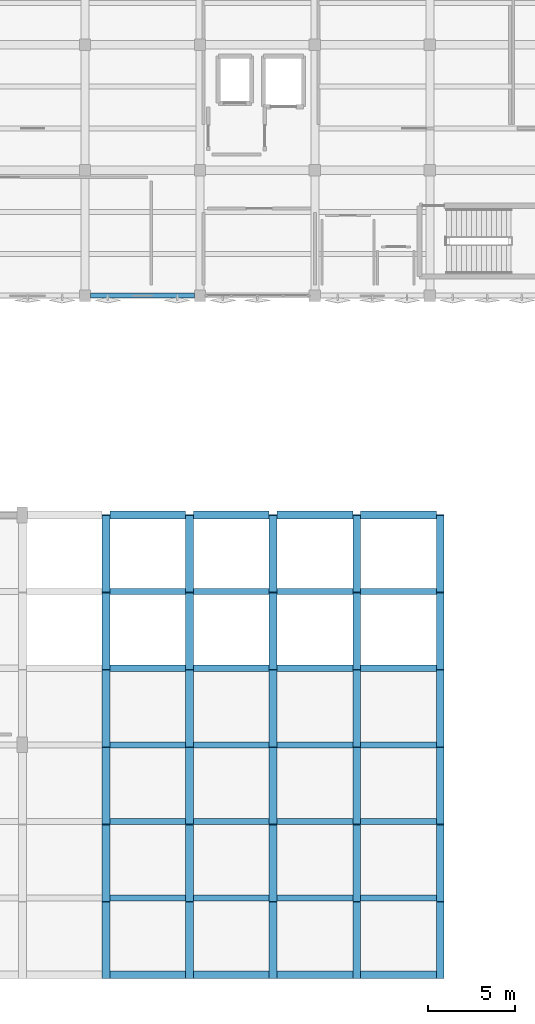
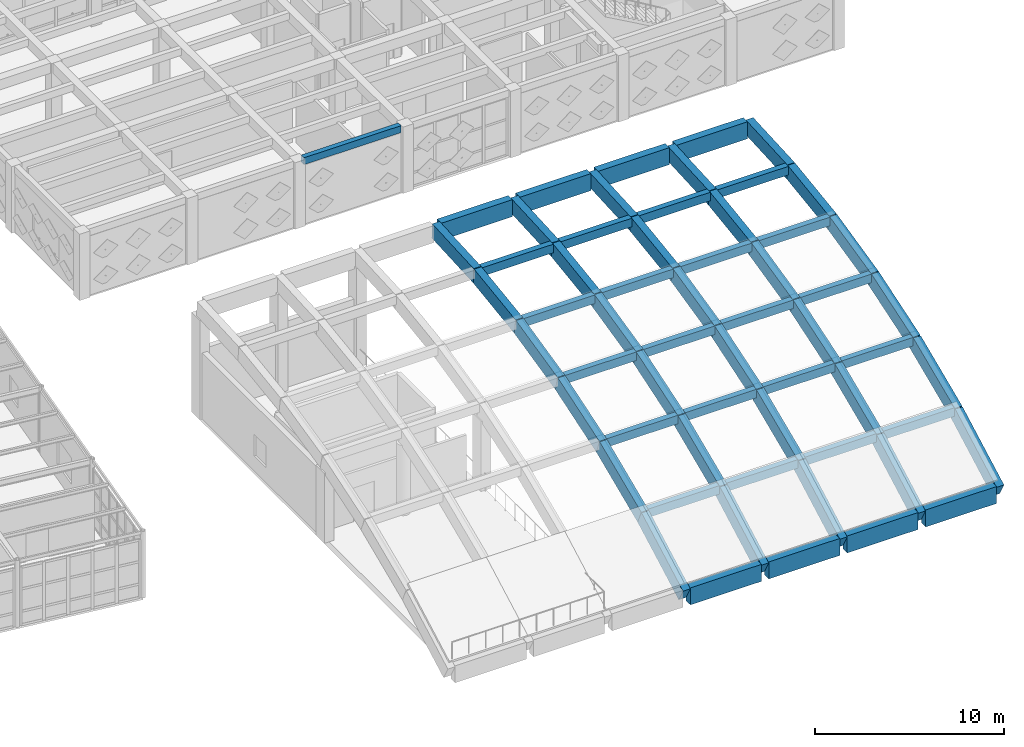
# One storey, part 34 of 67: 59 beams.
"""IFC4 building model written with IfcOpenShell, lengths in metres."""

from ifc_helpers import new_model, si_unit, direction, frame, origin, origin_2d, place, context, subcontext, project, spatial, rectangle, extrude, material, material_profile, profile_set, type_object, element, save


model = new_model("IFC4")

# Units and contexts
model_context = context("Model", 3, precision=1e-05, world=origin(), true_north=direction((0.0, 1.0)))
body_context = subcontext(model_context, "Body", "Model", "MODEL_VIEW")
ifc_project = project(units=[si_unit("LENGTHUNIT", "METRE"), si_unit("AREAUNIT", "SQUARE_METRE"), si_unit("VOLUMEUNIT", "CUBIC_METRE"), si_unit("PLANEANGLEUNIT", "RADIAN"), si_unit("MASSUNIT", "GRAM", prefix="KILO")], contexts=[model_context])

# Site, building, storey
site_placement = place(None, origin())
site = spatial("IfcSite", under=ifc_project, at=site_placement, CompositionType="ELEMENT")
building_placement = place(site_placement, origin())
building = spatial("IfcBuilding", under=site, at=building_placement, Name="Kharisveld Research Institute", CompositionType="ELEMENT")
storey_placement = place(building_placement, frame((0.0, 0.0, 9.60009765625)))
storey = spatial("IfcBuildingStorey", under=building, at=storey_placement, Name="L02", CompositionType="ELEMENT", Elevation=9.60009765625)

# Beams
ifc_material_1 = material(Name="Concrete C40/50", Category="concrete")
ifc_material_profile_1 = material_profile(ifc_material_1, rectangle(XDim=0.35009765625, YDim=0.550048828125, at=origin_2d()))
ifc_profile_set_1 = profile_set([ifc_material_profile_1], Name="Concrete C40/50")
beam_type_1 = type_object("IfcBeamType", Name="BM_RC_350x550", PredefinedType="BEAM", material=ifc_profile_set_1)
beam_1_placement = place(storey_placement, frame((129.22509765625, 4.60009765625, 1.895263671875), z_axis=(1.0, 0.0, 0.0), x_axis=(0.0, 1.0, 0.0)))
element("IfcBeam", 1, at=beam_1_placement, inside=storey, type_object=beam_type_1, Name="BM:V5:L02:SHELLLON_S1_4", PredefinedType="BEAM", context=body_context, shape_type="SweptSolid", body=[
    extrude(rectangle(XDim=0.35009765625, YDim=0.550048828125, at=origin_2d()), origin(), (0.0, 0.0, 1.0), 4.349853515625),
])
for number, where, z_axis, x_axis, name in (
    (2, (134.02490234375, 4.60009765625, 1.895263671875), (1.0, 0.0, 0.0), (0.0, 1.0, 0.0), "BM:V5:L02:SHELLLON_S1_5"),
    (3, (138.824951171875, 4.60009765625, 1.895263671875), (1.0, 0.0, 0.0), (0.0, 1.0, 0.0), "BM:V5:L02:SHELLLON_S1_6"),
    (4, (143.625, 4.60009765625, 1.895263671875), (1.0, 0.0, 0.0), (0.0, 1.0, 0.0), "BM:V5:L02:SHELLLON_S1_7"),
):
    element("IfcBeam", number, at=place(storey_placement, frame(where, z_axis=z_axis, x_axis=x_axis)), inside=storey, type_object=beam_type_1, Name=name, PredefinedType="BEAM", context=body_context, shape_type="SweptSolid", body=[
        extrude(rectangle(XDim=0.35009765625, YDim=0.550048828125, at=origin_2d()), origin(), (0.0, 0.0, 1.0), 4.35009765625),
    ])
beam_2_placement = place(storey_placement, frame((129.22509765625, 9.0, 3.782470703125), z_axis=(1.0, 0.0, 0.0), x_axis=(0.0, 1.0, 0.0)))
element("IfcBeam", 5, at=beam_2_placement, inside=storey, type_object=beam_type_1, Name="BM:V5:L02:SHELLLON_S2_4", PredefinedType="BEAM", context=body_context, shape_type="SweptSolid", body=[
    extrude(rectangle(XDim=0.35009765625, YDim=0.550048828125, at=origin_2d()), origin(), (0.0, 0.0, 1.0), 4.349853515625),
])
for number, where, z_axis, x_axis, name in (
    (6, (134.02490234375, 9.0, 3.782470703125), (1.0, 0.0, 0.0), (0.0, 1.0, 0.0), "BM:V5:L02:SHELLLON_S2_5"),
    (7, (138.824951171875, 9.0, 3.782470703125), (1.0, 0.0, 0.0), (0.0, 1.0, 0.0), "BM:V5:L02:SHELLLON_S2_6"),
    (8, (143.625, 9.0, 3.782470703125), (1.0, 0.0, 0.0), (0.0, 1.0, 0.0), "BM:V5:L02:SHELLLON_S2_7"),
):
    element("IfcBeam", number, at=place(storey_placement, frame(where, z_axis=z_axis, x_axis=x_axis)), inside=storey, type_object=beam_type_1, Name=name, PredefinedType="BEAM", context=body_context, shape_type="SweptSolid", body=[
        extrude(rectangle(XDim=0.35009765625, YDim=0.550048828125, at=origin_2d()), origin(), (0.0, 0.0, 1.0), 4.35009765625),
    ])
beam_3_placement = place(storey_placement, frame((129.22509765625, 13.39990234375, 5.214111328125), z_axis=(1.0, 0.0, 0.0), x_axis=(0.0, 1.0, 0.0)))
element("IfcBeam", 9, at=beam_3_placement, inside=storey, type_object=beam_type_1, Name="BM:V5:L02:SHELLLON_S3_4", PredefinedType="BEAM", context=body_context, shape_type="SweptSolid", body=[
    extrude(rectangle(XDim=0.35009765625, YDim=0.550048828125, at=origin_2d()), origin(), (0.0, 0.0, 1.0), 4.349853515625),
])
for number, where, z_axis, x_axis, name in (
    (10, (134.02490234375, 13.39990234375, 5.214111328125), (1.0, 0.0, 0.0), (0.0, 1.0, 0.0), "BM:V5:L02:SHELLLON_S3_5"),
    (11, (138.824951171875, 13.39990234375, 5.214111328125), (1.0, 0.0, 0.0), (0.0, 1.0, 0.0), "BM:V5:L02:SHELLLON_S3_6"),
    (12, (143.625, 13.39990234375, 5.214111328125), (1.0, 0.0, 0.0), (0.0, 1.0, 0.0), "BM:V5:L02:SHELLLON_S3_7"),
):
    element("IfcBeam", number, at=place(storey_placement, frame(where, z_axis=z_axis, x_axis=x_axis)), inside=storey, type_object=beam_type_1, Name=name, PredefinedType="BEAM", context=body_context, shape_type="SweptSolid", body=[
        extrude(rectangle(XDim=0.35009765625, YDim=0.550048828125, at=origin_2d()), origin(), (0.0, 0.0, 1.0), 4.35009765625),
    ])
beam_4_placement = place(storey_placement, frame((129.22509765625, 17.800048828125, 6.228759765625), z_axis=(1.0, 0.0, 0.0), x_axis=(0.0, 1.0, 0.0)))
element("IfcBeam", 13, at=beam_4_placement, inside=storey, type_object=beam_type_1, Name="BM:V5:L02:SHELLLON_S4_4", PredefinedType="BEAM", context=body_context, shape_type="SweptSolid", body=[
    extrude(rectangle(XDim=0.35009765625, YDim=0.550048828125, at=origin_2d()), origin(), (0.0, 0.0, 1.0), 4.349853515625),
])
for number, where, z_axis, x_axis, name in (
    (14, (134.02490234375, 17.800048828125, 6.228759765625), (1.0, 0.0, 0.0), (0.0, 1.0, 0.0), "BM:V5:L02:SHELLLON_S4_5"),
    (15, (138.824951171875, 17.800048828125, 6.228759765625), (1.0, 0.0, 0.0), (0.0, 1.0, 0.0), "BM:V5:L02:SHELLLON_S4_6"),
    (16, (143.625, 17.800048828125, 6.228759765625), (1.0, 0.0, 0.0), (0.0, 1.0, 0.0), "BM:V5:L02:SHELLLON_S4_7"),
):
    element("IfcBeam", number, at=place(storey_placement, frame(where, z_axis=z_axis, x_axis=x_axis)), inside=storey, type_object=beam_type_1, Name=name, PredefinedType="BEAM", context=body_context, shape_type="SweptSolid", body=[
        extrude(rectangle(XDim=0.35009765625, YDim=0.550048828125, at=origin_2d()), origin(), (0.0, 0.0, 1.0), 4.35009765625),
    ])
beam_5_placement = place(storey_placement, frame((129.22509765625, 22.199951171875, 6.85107421875), z_axis=(1.0, 0.0, 0.0), x_axis=(0.0, 1.0, 0.0)))
element("IfcBeam", 17, at=beam_5_placement, inside=storey, type_object=beam_type_1, Name="BM:V5:L02:SHELLLON_S5_4", PredefinedType="BEAM", context=body_context, shape_type="SweptSolid", body=[
    extrude(rectangle(XDim=0.35009765625, YDim=0.550048828125, at=origin_2d()), origin(), (0.0, 0.0, 1.0), 4.349853515625),
])
for number, where, z_axis, x_axis, name in (
    (18, (134.02490234375, 22.199951171875, 6.85107421875), (1.0, 0.0, 0.0), (0.0, 1.0, 0.0), "BM:V5:L02:SHELLLON_S5_5"),
    (19, (138.824951171875, 22.199951171875, 6.85107421875), (1.0, 0.0, 0.0), (0.0, 1.0, 0.0), "BM:V5:L02:SHELLLON_S5_6"),
    (20, (143.625, 22.199951171875, 6.85107421875), (1.0, 0.0, 0.0), (0.0, 1.0, 0.0), "BM:V5:L02:SHELLLON_S5_7"),
):
    element("IfcBeam", number, at=place(storey_placement, frame(where, z_axis=z_axis, x_axis=x_axis)), inside=storey, type_object=beam_type_1, Name=name, PredefinedType="BEAM", context=body_context, shape_type="SweptSolid", body=[
        extrude(rectangle(XDim=0.35009765625, YDim=0.550048828125, at=origin_2d()), origin(), (0.0, 0.0, 1.0), 4.35009765625),
    ])
ifc_material_2 = material(Name="Concrete C40/50", Category="concrete")
ifc_material_profile_2 = material_profile(ifc_material_2, rectangle(XDim=0.449951171875, YDim=1.10009765625, at=origin_2d()))
ifc_profile_set_2 = profile_set([ifc_material_profile_2], Name="Concrete C40/50")
beam_type_2 = type_object("IfcBeamType", Name="EB_RC_450x1100", PredefinedType="BEAM", material=ifc_profile_set_2)
beam_6_placement = place(storey_placement, frame((129.22509765625, 0.199951171875, -0.780029296875), z_axis=(1.0, 0.0, 0.0), x_axis=(0.0, 1.0, 0.0)))
element("IfcBeam", 21, at=beam_6_placement, inside=storey, type_object=beam_type_2, Name="BM:V5:L02:SHELLLON_S0_4", PredefinedType="BEAM", context=body_context, shape_type="SweptSolid", body=[
    extrude(rectangle(XDim=0.449951171875, YDim=1.10009765625, at=origin_2d()), origin(), (0.0, 0.0, 1.0), 4.349853515625),
])
for number, where, z_axis, x_axis, name in (
    (22, (134.02490234375, 0.199951171875, -0.780029296875), (1.0, 0.0, 0.0), (0.0, 1.0, 0.0), "BM:V5:L02:SHELLLON_S0_5"),
    (23, (138.824951171875, 0.199951171875, -0.780029296875), (1.0, 0.0, 0.0), (0.0, 1.0, 0.0), "BM:V5:L02:SHELLLON_S0_6"),
    (24, (143.625, 0.199951171875, -0.780029296875), (1.0, 0.0, 0.0), (0.0, 1.0, 0.0), "BM:V5:L02:SHELLLON_S0_7"),
):
    element("IfcBeam", number, at=place(storey_placement, frame(where, z_axis=z_axis, x_axis=x_axis)), inside=storey, type_object=beam_type_2, Name=name, PredefinedType="BEAM", context=body_context, shape_type="SweptSolid", body=[
        extrude(rectangle(XDim=0.449951171875, YDim=1.10009765625, at=origin_2d()), origin(), (0.0, 0.0, 1.0), 4.35009765625),
    ])
beam_7_placement = place(storey_placement, frame((129.22509765625, 26.60009765625, 6.81982421875), z_axis=(1.0, 0.0, 0.0), x_axis=(0.0, 1.0, 0.0)))
element("IfcBeam", 25, at=beam_7_placement, inside=storey, type_object=beam_type_2, Name="BM:V5:L02:SHELLLON_S6_4", PredefinedType="BEAM", context=body_context, shape_type="SweptSolid", body=[
    extrude(rectangle(XDim=0.449951171875, YDim=1.10009765625, at=origin_2d()), origin(), (0.0, 0.0, 1.0), 4.349853515625),
])
for number, where, z_axis, x_axis, name in (
    (26, (134.02490234375, 26.60009765625, 6.81982421875), (1.0, 0.0, 0.0), (0.0, 1.0, 0.0), "BM:V5:L02:SHELLLON_S6_5"),
    (27, (138.824951171875, 26.60009765625, 6.81982421875), (1.0, 0.0, 0.0), (0.0, 1.0, 0.0), "BM:V5:L02:SHELLLON_S6_6"),
    (28, (143.625, 26.60009765625, 6.81982421875), (1.0, 0.0, 0.0), (0.0, 1.0, 0.0), "BM:V5:L02:SHELLLON_S6_7"),
):
    element("IfcBeam", number, at=place(storey_placement, frame(where, z_axis=z_axis, x_axis=x_axis)), inside=storey, type_object=beam_type_2, Name=name, PredefinedType="BEAM", context=body_context, shape_type="SweptSolid", body=[
        extrude(rectangle(XDim=0.449951171875, YDim=1.10009765625, at=origin_2d()), origin(), (0.0, 0.0, 1.0), 4.35009765625),
    ])
ifc_material_3 = material(Name="Concrete C40/50", Category="concrete")
ifc_material_profile_3 = material_profile(ifc_material_3, rectangle(XDim=0.300048828125, YDim=0.449951171875, at=origin_2d()))
ifc_profile_set_3 = profile_set([ifc_material_profile_3], Name="Concrete C40/50")
beam_type_3 = type_object("IfcBeamType", Name="SP_RC_300x450", PredefinedType="SPANDREL", material=ifc_profile_set_3)
beam_8_placement = place(storey_placement, frame((128.125, 39.199951171875, 4.074951171875), z_axis=(1.0, 0.0, 0.0), x_axis=(0.0, 1.0, 0.0)))
element("IfcBeam", 29, at=beam_8_placement, inside=storey, type_object=beam_type_3, Name="BM:V2:L02:U2_0", PredefinedType="SPANDREL", context=body_context, shape_type="SweptSolid", body=[
    extrude(rectangle(XDim=0.300048828125, YDim=0.449951171875, at=origin_2d()), origin(), (0.0, 0.0, 1.0), 5.949951171875),
])
ifc_material_4 = material(Name="Concrete C40/50", Category="concrete")
ifc_material_profile_4 = material_profile(ifc_material_4, rectangle(XDim=0.449951171875, YDim=0.949951171875, at=origin_2d()))
ifc_profile_set_4 = profile_set([ifc_material_profile_4], Name="Concrete C40/50")
beam_type_4 = type_object("IfcBeamType", Name="SR_RC_450x950", PredefinedType="BEAM", material=ifc_profile_set_4)
beam_9_placement = place(storey_placement, frame((129.0, 0.199951171875, -0.705078125), z_axis=(0.0, 0.877869511128, 0.47889990753), x_axis=(-1.0, 0.0, 0.0)))
element("IfcBeam", 30, at=beam_9_placement, inside=storey, type_object=beam_type_4, Name="BM:V5:L02:ARCHRIB_R4_S1", PredefinedType="BEAM", context=body_context, shape_type="SweptSolid", body=[
    extrude(rectangle(XDim=0.449951171875, YDim=0.949951171875, at=origin_2d()), origin(), (0.0, 0.0, 1.0), 5.01220703125),
])
beam_10_placement = place(storey_placement, frame((129.0, 4.60009765625, 1.6953125), z_axis=(0.0, 0.919047406281, 0.394147009386), x_axis=(-1.0, 0.0, 0.0)))
element("IfcBeam", 31, at=beam_10_placement, inside=storey, type_object=beam_type_4, Name="BM:V5:L02:ARCHRIB_R4_S2", PredefinedType="BEAM", context=body_context, shape_type="SweptSolid", body=[
    extrude(rectangle(XDim=0.449951171875, YDim=0.949951171875, at=origin_2d()), origin(), (0.0, 0.0, 1.0), 4.787353515625),
])
beam_11_placement = place(storey_placement, frame((129.0, 9.0, 3.582275390625), z_axis=(0.0, 0.950912241118, 0.309460675517), x_axis=(-1.0, 0.0, 0.0)))
element("IfcBeam", 32, at=beam_11_placement, inside=storey, type_object=beam_type_4, Name="BM:V5:L02:ARCHRIB_R4_S3", PredefinedType="BEAM", context=body_context, shape_type="SweptSolid", body=[
    extrude(rectangle(XDim=0.449951171875, YDim=0.949951171875, at=origin_2d()), origin(), (0.0, 0.0, 1.0), 4.626953125),
])
beam_12_placement = place(storey_placement, frame((129.0, 13.39990234375, 5.01416015625), z_axis=(0.0, 0.974428542345, 0.224697609831), x_axis=(-1.0, 0.0, 0.0)))
element("IfcBeam", 33, at=beam_12_placement, inside=storey, type_object=beam_type_4, Name="BM:V5:L02:ARCHRIB_R4_S4", PredefinedType="BEAM", context=body_context, shape_type="SweptSolid", body=[
    extrude(rectangle(XDim=0.449951171875, YDim=0.949951171875, at=origin_2d()), origin(), (0.0, 0.0, 1.0), 4.515625),
])
beam_13_placement = place(storey_placement, frame((129.0, 17.800048828125, 6.02880859375), z_axis=(0.0, 0.990145224709, 0.140044400055), x_axis=(-1.0, 0.0, 0.0)))
element("IfcBeam", 34, at=beam_13_placement, inside=storey, type_object=beam_type_4, Name="BM:V5:L02:ARCHRIB_R4_S5", PredefinedType="BEAM", context=body_context, shape_type="SweptSolid", body=[
    extrude(rectangle(XDim=0.449951171875, YDim=0.949951171875, at=origin_2d()), origin(), (0.0, 0.0, 1.0), 4.443603515625),
])
beam_14_placement = place(storey_placement, frame((129.0, 22.199951171875, 6.651123046875), z_axis=(0.0, 0.998467334155, 0.055344219432), x_axis=(-1.0, 0.0, 0.0)))
element("IfcBeam", 35, at=beam_14_placement, inside=storey, type_object=beam_type_4, Name="BM:V5:L02:ARCHRIB_R4_S6", PredefinedType="BEAM", context=body_context, shape_type="SweptSolid", body=[
    extrude(rectangle(XDim=0.449951171875, YDim=0.949951171875, at=origin_2d()), origin(), (0.0, 0.0, 1.0), 4.406982421875),
])
beam_15_placement = place(storey_placement, frame((133.800048828125, 0.199951171875, -0.705078125), z_axis=(0.0, 0.877869511128, 0.47889990753), x_axis=(-1.0, 0.0, 0.0)))
element("IfcBeam", 36, at=beam_15_placement, inside=storey, type_object=beam_type_4, Name="BM:V5:L02:ARCHRIB_R5_S1", PredefinedType="BEAM", context=body_context, shape_type="SweptSolid", body=[
    extrude(rectangle(XDim=0.449951171875, YDim=0.949951171875, at=origin_2d()), origin(), (0.0, 0.0, 1.0), 5.01220703125),
])
beam_16_placement = place(storey_placement, frame((133.800048828125, 4.60009765625, 1.6953125), z_axis=(0.0, 0.919047406281, 0.394147009386), x_axis=(-1.0, 0.0, 0.0)))
element("IfcBeam", 37, at=beam_16_placement, inside=storey, type_object=beam_type_4, Name="BM:V5:L02:ARCHRIB_R5_S2", PredefinedType="BEAM", context=body_context, shape_type="SweptSolid", body=[
    extrude(rectangle(XDim=0.449951171875, YDim=0.949951171875, at=origin_2d()), origin(), (0.0, 0.0, 1.0), 4.787353515625),
])
beam_17_placement = place(storey_placement, frame((133.800048828125, 9.0, 3.582275390625), z_axis=(0.0, 0.950912241118, 0.309460675517), x_axis=(-1.0, 0.0, 0.0)))
element("IfcBeam", 38, at=beam_17_placement, inside=storey, type_object=beam_type_4, Name="BM:V5:L02:ARCHRIB_R5_S3", PredefinedType="BEAM", context=body_context, shape_type="SweptSolid", body=[
    extrude(rectangle(XDim=0.449951171875, YDim=0.949951171875, at=origin_2d()), origin(), (0.0, 0.0, 1.0), 4.626953125),
])
beam_18_placement = place(storey_placement, frame((133.800048828125, 13.39990234375, 5.01416015625), z_axis=(0.0, 0.974428542345, 0.224697609831), x_axis=(-1.0, 0.0, 0.0)))
element("IfcBeam", 39, at=beam_18_placement, inside=storey, type_object=beam_type_4, Name="BM:V5:L02:ARCHRIB_R5_S4", PredefinedType="BEAM", context=body_context, shape_type="SweptSolid", body=[
    extrude(rectangle(XDim=0.449951171875, YDim=0.949951171875, at=origin_2d()), origin(), (0.0, 0.0, 1.0), 4.515625),
])
beam_19_placement = place(storey_placement, frame((133.800048828125, 17.800048828125, 6.02880859375), z_axis=(0.0, 0.990145224709, 0.140044400055), x_axis=(-1.0, 0.0, 0.0)))
element("IfcBeam", 40, at=beam_19_placement, inside=storey, type_object=beam_type_4, Name="BM:V5:L02:ARCHRIB_R5_S5", PredefinedType="BEAM", context=body_context, shape_type="SweptSolid", body=[
    extrude(rectangle(XDim=0.449951171875, YDim=0.949951171875, at=origin_2d()), origin(), (0.0, 0.0, 1.0), 4.443603515625),
])
beam_20_placement = place(storey_placement, frame((133.800048828125, 22.199951171875, 6.651123046875), z_axis=(0.0, 0.998467334155, 0.055344219432), x_axis=(-1.0, 0.0, 0.0)))
element("IfcBeam", 41, at=beam_20_placement, inside=storey, type_object=beam_type_4, Name="BM:V5:L02:ARCHRIB_R5_S6", PredefinedType="BEAM", context=body_context, shape_type="SweptSolid", body=[
    extrude(rectangle(XDim=0.449951171875, YDim=0.949951171875, at=origin_2d()), origin(), (0.0, 0.0, 1.0), 4.406982421875),
])
beam_21_placement = place(storey_placement, frame((138.60009765625, 0.199951171875, -0.705078125), z_axis=(0.0, 0.877869511128, 0.47889990753), x_axis=(-1.0, 0.0, 0.0)))
element("IfcBeam", 42, at=beam_21_placement, inside=storey, type_object=beam_type_4, Name="BM:V5:L02:ARCHRIB_R6_S1", PredefinedType="BEAM", context=body_context, shape_type="SweptSolid", body=[
    extrude(rectangle(XDim=0.449951171875, YDim=0.949951171875, at=origin_2d()), origin(), (0.0, 0.0, 1.0), 5.01220703125),
])
beam_22_placement = place(storey_placement, frame((138.60009765625, 4.60009765625, 1.6953125), z_axis=(0.0, 0.919047406281, 0.394147009386), x_axis=(-1.0, 0.0, 0.0)))
element("IfcBeam", 43, at=beam_22_placement, inside=storey, type_object=beam_type_4, Name="BM:V5:L02:ARCHRIB_R6_S2", PredefinedType="BEAM", context=body_context, shape_type="SweptSolid", body=[
    extrude(rectangle(XDim=0.449951171875, YDim=0.949951171875, at=origin_2d()), origin(), (0.0, 0.0, 1.0), 4.787353515625),
])
beam_23_placement = place(storey_placement, frame((138.60009765625, 9.0, 3.582275390625), z_axis=(0.0, 0.950912241118, 0.309460675517), x_axis=(-1.0, 0.0, 0.0)))
element("IfcBeam", 44, at=beam_23_placement, inside=storey, type_object=beam_type_4, Name="BM:V5:L02:ARCHRIB_R6_S3", PredefinedType="BEAM", context=body_context, shape_type="SweptSolid", body=[
    extrude(rectangle(XDim=0.449951171875, YDim=0.949951171875, at=origin_2d()), origin(), (0.0, 0.0, 1.0), 4.626953125),
])
beam_24_placement = place(storey_placement, frame((138.60009765625, 13.39990234375, 5.01416015625), z_axis=(0.0, 0.974428542345, 0.224697609831), x_axis=(-1.0, 0.0, 0.0)))
element("IfcBeam", 45, at=beam_24_placement, inside=storey, type_object=beam_type_4, Name="BM:V5:L02:ARCHRIB_R6_S4", PredefinedType="BEAM", context=body_context, shape_type="SweptSolid", body=[
    extrude(rectangle(XDim=0.449951171875, YDim=0.949951171875, at=origin_2d()), origin(), (0.0, 0.0, 1.0), 4.515625),
])
beam_25_placement = place(storey_placement, frame((138.60009765625, 17.800048828125, 6.02880859375), z_axis=(0.0, 0.990145224709, 0.140044400055), x_axis=(-1.0, 0.0, 0.0)))
element("IfcBeam", 46, at=beam_25_placement, inside=storey, type_object=beam_type_4, Name="BM:V5:L02:ARCHRIB_R6_S5", PredefinedType="BEAM", context=body_context, shape_type="SweptSolid", body=[
    extrude(rectangle(XDim=0.449951171875, YDim=0.949951171875, at=origin_2d()), origin(), (0.0, 0.0, 1.0), 4.443603515625),
])
beam_26_placement = place(storey_placement, frame((138.60009765625, 22.199951171875, 6.651123046875), z_axis=(0.0, 0.998467334155, 0.055344219432), x_axis=(-1.0, 0.0, 0.0)))
element("IfcBeam", 47, at=beam_26_placement, inside=storey, type_object=beam_type_4, Name="BM:V5:L02:ARCHRIB_R6_S6", PredefinedType="BEAM", context=body_context, shape_type="SweptSolid", body=[
    extrude(rectangle(XDim=0.449951171875, YDim=0.949951171875, at=origin_2d()), origin(), (0.0, 0.0, 1.0), 4.406982421875),
])
beam_27_placement = place(storey_placement, frame((143.39990234375, 0.199951171875, -0.705078125), z_axis=(0.0, 0.877869511128, 0.47889990753), x_axis=(-1.0, 0.0, 0.0)))
element("IfcBeam", 48, at=beam_27_placement, inside=storey, type_object=beam_type_4, Name="BM:V5:L02:ARCHRIB_R7_S1", PredefinedType="BEAM", context=body_context, shape_type="SweptSolid", body=[
    extrude(rectangle(XDim=0.449951171875, YDim=0.949951171875, at=origin_2d()), origin(), (0.0, 0.0, 1.0), 5.01220703125),
])
beam_28_placement = place(storey_placement, frame((143.39990234375, 4.60009765625, 1.6953125), z_axis=(0.0, 0.919047406281, 0.394147009386), x_axis=(-1.0, 0.0, 0.0)))
element("IfcBeam", 49, at=beam_28_placement, inside=storey, type_object=beam_type_4, Name="BM:V5:L02:ARCHRIB_R7_S2", PredefinedType="BEAM", context=body_context, shape_type="SweptSolid", body=[
    extrude(rectangle(XDim=0.449951171875, YDim=0.949951171875, at=origin_2d()), origin(), (0.0, 0.0, 1.0), 4.787353515625),
])
beam_29_placement = place(storey_placement, frame((143.39990234375, 9.0, 3.582275390625), z_axis=(0.0, 0.950912241118, 0.309460675517), x_axis=(-1.0, 0.0, 0.0)))
element("IfcBeam", 50, at=beam_29_placement, inside=storey, type_object=beam_type_4, Name="BM:V5:L02:ARCHRIB_R7_S3", PredefinedType="BEAM", context=body_context, shape_type="SweptSolid", body=[
    extrude(rectangle(XDim=0.449951171875, YDim=0.949951171875, at=origin_2d()), origin(), (0.0, 0.0, 1.0), 4.626953125),
])
beam_30_placement = place(storey_placement, frame((143.39990234375, 13.39990234375, 5.01416015625), z_axis=(0.0, 0.974428542345, 0.224697609831), x_axis=(-1.0, 0.0, 0.0)))
element("IfcBeam", 51, at=beam_30_placement, inside=storey, type_object=beam_type_4, Name="BM:V5:L02:ARCHRIB_R7_S4", PredefinedType="BEAM", context=body_context, shape_type="SweptSolid", body=[
    extrude(rectangle(XDim=0.449951171875, YDim=0.949951171875, at=origin_2d()), origin(), (0.0, 0.0, 1.0), 4.515625),
])
beam_31_placement = place(storey_placement, frame((143.39990234375, 17.800048828125, 6.02880859375), z_axis=(0.0, 0.990145224709, 0.140044400055), x_axis=(-1.0, 0.0, 0.0)))
element("IfcBeam", 52, at=beam_31_placement, inside=storey, type_object=beam_type_4, Name="BM:V5:L02:ARCHRIB_R7_S5", PredefinedType="BEAM", context=body_context, shape_type="SweptSolid", body=[
    extrude(rectangle(XDim=0.449951171875, YDim=0.949951171875, at=origin_2d()), origin(), (0.0, 0.0, 1.0), 4.443603515625),
])
beam_32_placement = place(storey_placement, frame((143.39990234375, 22.199951171875, 6.651123046875), z_axis=(0.0, 0.998467334155, 0.055344219432), x_axis=(-1.0, 0.0, 0.0)))
element("IfcBeam", 53, at=beam_32_placement, inside=storey, type_object=beam_type_4, Name="BM:V5:L02:ARCHRIB_R7_S6", PredefinedType="BEAM", context=body_context, shape_type="SweptSolid", body=[
    extrude(rectangle(XDim=0.449951171875, YDim=0.949951171875, at=origin_2d()), origin(), (0.0, 0.0, 1.0), 4.406982421875),
])
beam_33_placement = place(storey_placement, frame((148.199951171875, 0.199951171875, -0.705078125), z_axis=(0.0, 0.877869511128, 0.47889990753), x_axis=(-1.0, 0.0, 0.0)))
element("IfcBeam", 54, at=beam_33_placement, inside=storey, type_object=beam_type_4, Name="BM:V5:L02:ARCHRIB_R8_S1", PredefinedType="BEAM", context=body_context, shape_type="SweptSolid", body=[
    extrude(rectangle(XDim=0.449951171875, YDim=0.949951171875, at=origin_2d()), origin(), (0.0, 0.0, 1.0), 5.01220703125),
])
beam_34_placement = place(storey_placement, frame((148.199951171875, 4.60009765625, 1.6953125), z_axis=(0.0, 0.919047406281, 0.394147009386), x_axis=(-1.0, 0.0, 0.0)))
element("IfcBeam", 55, at=beam_34_placement, inside=storey, type_object=beam_type_4, Name="BM:V5:L02:ARCHRIB_R8_S2", PredefinedType="BEAM", context=body_context, shape_type="SweptSolid", body=[
    extrude(rectangle(XDim=0.449951171875, YDim=0.949951171875, at=origin_2d()), origin(), (0.0, 0.0, 1.0), 4.787353515625),
])
beam_35_placement = place(storey_placement, frame((148.199951171875, 9.0, 3.582275390625), z_axis=(0.0, 0.950912241118, 0.309460675517), x_axis=(-1.0, 0.0, 0.0)))
element("IfcBeam", 56, at=beam_35_placement, inside=storey, type_object=beam_type_4, Name="BM:V5:L02:ARCHRIB_R8_S3", PredefinedType="BEAM", context=body_context, shape_type="SweptSolid", body=[
    extrude(rectangle(XDim=0.449951171875, YDim=0.949951171875, at=origin_2d()), origin(), (0.0, 0.0, 1.0), 4.626953125),
])
beam_36_placement = place(storey_placement, frame((148.199951171875, 13.39990234375, 5.01416015625), z_axis=(0.0, 0.974428542345, 0.224697609831), x_axis=(-1.0, 0.0, 0.0)))
element("IfcBeam", 57, at=beam_36_placement, inside=storey, type_object=beam_type_4, Name="BM:V5:L02:ARCHRIB_R8_S4", PredefinedType="BEAM", context=body_context, shape_type="SweptSolid", body=[
    extrude(rectangle(XDim=0.449951171875, YDim=0.949951171875, at=origin_2d()), origin(), (0.0, 0.0, 1.0), 4.515625),
])
beam_37_placement = place(storey_placement, frame((148.199951171875, 17.800048828125, 6.02880859375), z_axis=(0.0, 0.990145224709, 0.140044400055), x_axis=(-1.0, 0.0, 0.0)))
element("IfcBeam", 58, at=beam_37_placement, inside=storey, type_object=beam_type_4, Name="BM:V5:L02:ARCHRIB_R8_S5", PredefinedType="BEAM", context=body_context, shape_type="SweptSolid", body=[
    extrude(rectangle(XDim=0.449951171875, YDim=0.949951171875, at=origin_2d()), origin(), (0.0, 0.0, 1.0), 4.443603515625),
])
beam_38_placement = place(storey_placement, frame((148.199951171875, 22.199951171875, 6.651123046875), z_axis=(0.0, 0.998467334155, 0.055344219432), x_axis=(-1.0, 0.0, 0.0)))
element("IfcBeam", 59, at=beam_38_placement, inside=storey, type_object=beam_type_4, Name="BM:V5:L02:ARCHRIB_R8_S6", PredefinedType="BEAM", context=body_context, shape_type="SweptSolid", body=[
    extrude(rectangle(XDim=0.449951171875, YDim=0.949951171875, at=origin_2d()), origin(), (0.0, 0.0, 1.0), 4.406982421875),
])

save(model, "model.ifc")
